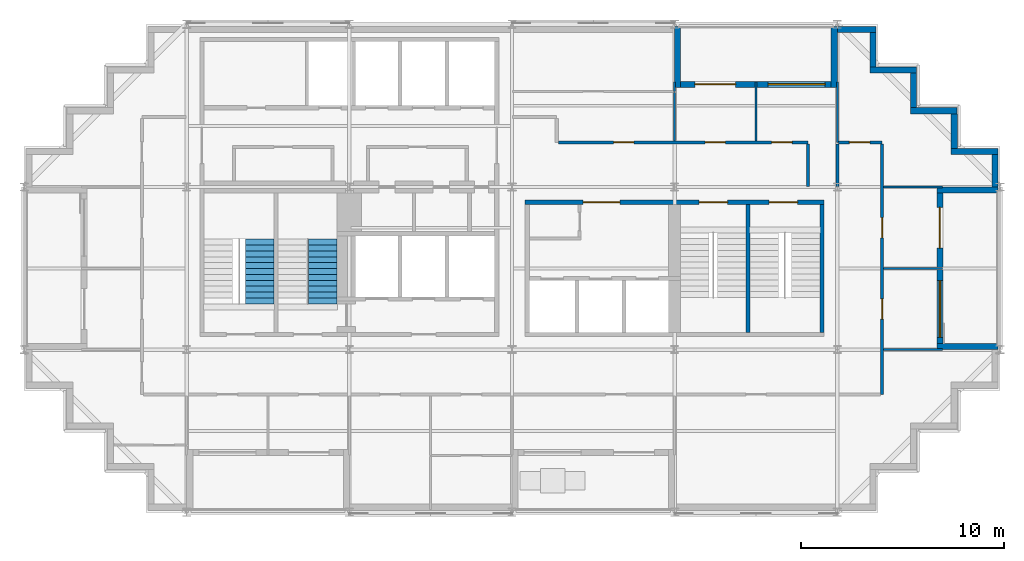
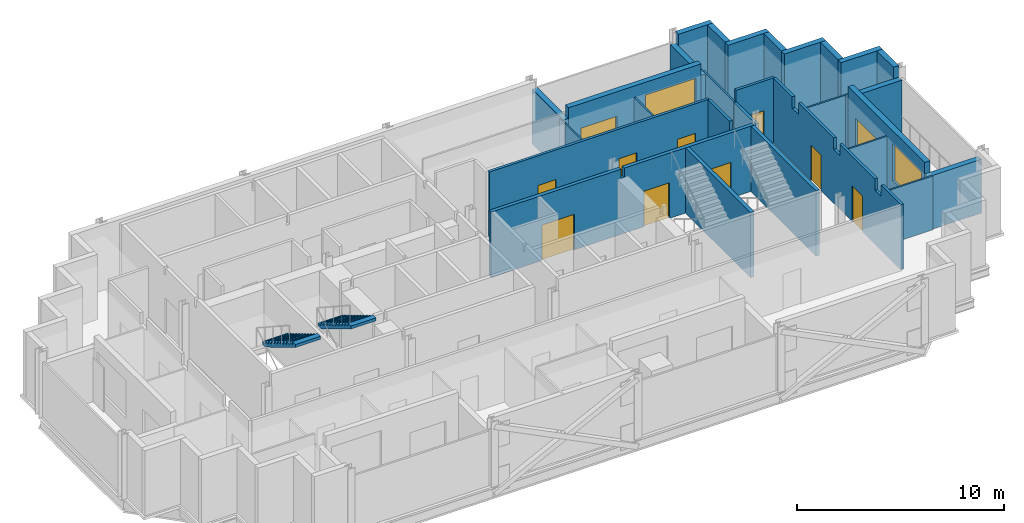
# One storey, part 7 of 10: 29 walls, 11 doors, 2 stair flights, 2 windows, 13 openings, 2 elements without a shape of their own.
"""IFC4 building model written with IfcOpenShell, lengths in metres."""

from ifc_helpers import new_model, si_unit, direction, frame, frame_2d, origin, place, context, subcontext, project, spatial, polyline, rectangle, outline, extrude, material, layer, layer_set, type_object, element, fill, aggregate, save


model = new_model("IFC4")

# Units and contexts
model_context = context("Model", 3, precision=1e-05, world=origin(), true_north=direction((0.0, 1.0)))
body_context = subcontext(model_context, "Body", "Model", "MODEL_VIEW")
ifc_project = project(units=[si_unit("LENGTHUNIT", "METRE"), si_unit("AREAUNIT", "SQUARE_METRE"), si_unit("VOLUMEUNIT", "CUBIC_METRE"), si_unit("PLANEANGLEUNIT", "RADIAN"), si_unit("MASSUNIT", "GRAM", prefix="KILO")], contexts=[model_context])

# Site, building, storey
site_placement = place(None, origin())
site = spatial("IfcSite", under=ifc_project, at=site_placement, CompositionType="ELEMENT")
building_placement = place(site_placement, origin())
building = spatial("IfcBuilding", under=site, at=building_placement, Name="Immortelle Media Tower", CompositionType="ELEMENT")
storey_placement = place(building_placement, frame((0.0, 0.0, 233.0)))
storey = spatial("IfcBuildingStorey", under=building, at=storey_placement, Name="L50", CompositionType="ELEMENT", Elevation=233.0)

# Wall, openings, doors
ifc_material_1 = material(Name="Fire-rated gypsum board", Category="gypsum")
ifc_layer_1 = layer(ifc_material_1, 0.012451171875)
ifc_material_2 = material(Name="Steel ASTM A653 SS Gr 50 stud frame with mineral wool", Category="steel")
ifc_layer_2 = layer(ifc_material_2, 0.125)
ifc_layer_3 = layer(ifc_material_1, 0.012451171875)
ifc_layer_set_1 = layer_set([ifc_layer_1, ifc_layer_2, ifc_layer_3], Name="Steel ASTM A653 SS Gr 50 stud frame with mineral wool")
wall_type_1 = type_object("IfcWallType", Name="Corridor wall 150", PredefinedType="PARTITIONING", material=ifc_layer_set_1)
wall_1_placement = place(storey_placement, frame((42.199951171875, 5.800048828125, 0.0), z_axis=(0.0, 0.0, 1.0), x_axis=(0.0, 1.0, 0.0)))
wall_1 = element("IfcWall", 1, at=wall_1_placement, inside=storey, type_object=wall_type_1, Name="Partition L50-013", PredefinedType="PARTITIONING", context=body_context, shape_type="SweptSolid", body=[
    extrude(outline(polyline([(0.0, 0.0), (12.324951171875, 0.0), (12.324951171875, 3.85009765625), (10.5, 3.85009765625), (10.498046875, 3.172119140625), (9.902099609375, 3.172119140625), (9.89990234375, 3.85009765625), (6.5, 3.85009765625), (6.498046875, 3.172119140625), (5.902099609375, 3.172119140625), (5.89990234375, 3.85009765625), (2.5, 3.85009765625), (2.498046875, 3.172119140625), (1.902099609375, 3.172119140625), (1.89990234375, 3.85009765625), (0.0, 3.85009765625), (0.0, 0.0)])), frame((0.0, 0.074951171875, 0.0), z_axis=(0.0, -1.0, 0.0), x_axis=(1.0, 0.0, 0.0)), (0.0, 0.0, 1.0), 0.14990234375),
])
opening_1_placement = place(wall_1_placement, frame((4.699951171875, 0.0, 0.0), z_axis=(0.0, 0.0, 1.0), x_axis=(-1.0, 0.0, 0.0)))
opening_1 = element("IfcOpeningElement", 2, at=opening_1_placement, cuts=wall_1, Name="Opening O6-F012", PredefinedType="OPENING", context=body_context, shape_type="SweptSolid", body=[
    extrude(rectangle(XDim=1.0, YDim=2.10009765625, at=frame_2d((0.5, 1.050048828125))), frame((0.0, 0.0849609375, 0.0), z_axis=(0.0, -1.0, 0.0), x_axis=(1.0, 0.0, 0.0)), (0.0, 0.0, 1.0), 0.169921875),
])
opening_2_placement = place(wall_1_placement, frame((8.699951171875, 0.0, 0.0), z_axis=(0.0, 0.0, 1.0), x_axis=(-1.0, 0.0, 0.0)))
opening_2 = element("IfcOpeningElement", 3, at=opening_2_placement, cuts=wall_1, Name="Opening O6-F013", PredefinedType="OPENING", context=body_context, shape_type="SweptSolid", body=[
    extrude(rectangle(XDim=1.0, YDim=2.10009765625, at=frame_2d((0.5, 1.050048828125))), frame((0.0, 0.0849609375, 0.0), z_axis=(0.0, -1.0, 0.0), x_axis=(1.0, 0.0, 0.0)), (0.0, 0.0, 1.0), 0.169921875),
])
ifc_material_3 = material(Name="Timber veneered door leaf, galvanised steel frame ASTM A653", Category="steel")
door_type_1 = type_object("IfcDoorType", Name="Room door 1000 x 2100", OperationType="NOTDEFINED", PredefinedType="DOOR", material=ifc_material_3)
door_1_placement = place(opening_1_placement, origin())
door_1 = element("IfcDoor", 4, at=door_1_placement, inside=storey, type_object=door_type_1, Name="Door O6-F012", OperationType="SINGLE_SWING_RIGHT", OverallHeight=2.10009765625, OverallWidth=1.0, PredefinedType="DOOR", context=body_context, shape_type="SweptSolid", body=[
    extrude(rectangle(XDim=1.0, YDim=2.10009765625, at=frame_2d((0.5, 1.050048828125))), frame((0.0, 0.02490234375, 0.0), z_axis=(0.0, -1.0, 0.0), x_axis=(1.0, 0.0, 0.0)), (0.0, 0.0, 1.0), 0.050048828125),
])
fill(opening_1, door_1)
door_2_placement = place(opening_2_placement, origin())
door_2 = element("IfcDoor", 5, at=door_2_placement, inside=storey, type_object=door_type_1, Name="Door O6-F013", OperationType="SINGLE_SWING_LEFT", OverallHeight=2.10009765625, OverallWidth=1.0, PredefinedType="DOOR", context=body_context, shape_type="SweptSolid", body=[
    extrude(rectangle(XDim=1.0, YDim=2.10009765625, at=frame_2d((0.5, 1.050048828125))), frame((0.0, 0.02490234375, 0.0), z_axis=(0.0, -1.0, 0.0), x_axis=(1.0, 0.0, 0.0)), (0.0, 0.0, 1.0), 0.050048828125),
])
fill(opening_2, door_2)

# Walls
wall_2_placement = place(storey_placement, frame((38.550048828125, 16.030029296875, 0.0), z_axis=(0.0, 0.0, 1.0), x_axis=(0.0, 1.0, 0.0)))
element("IfcWall", 6, at=wall_2_placement, inside=storey, type_object=wall_type_1, Name="Partition L50-020", PredefinedType="PARTITIONING", context=body_context, shape_type="SweptSolid", body=[
    extrude(rectangle(XDim=2.094970703125, YDim=0.14990234375, at=frame_2d((1.04736328125, 0.0))), origin(), (0.0, 0.0, 1.0), 3.85009765625),
])
wall_3_placement = place(storey_placement, frame((40.0, 16.030029296875, 0.0), z_axis=(0.0, 0.0, 1.0), x_axis=(0.0, 1.0, 0.0)))
element("IfcWall", 7, at=wall_3_placement, inside=storey, type_object=wall_type_1, Name="Partition L50-021", PredefinedType="PARTITIONING", context=body_context, shape_type="SweptSolid", body=[
    extrude(rectangle(XDim=2.094970703125, YDim=0.14990234375, at=frame_2d((1.04736328125, 0.0))), origin(), (0.0, 0.0, 1.0), 3.172119140625),
])

# Wall, openings, doors
wall_4_placement = place(storey_placement, frame((26.27490234375, 18.199951171875, 0.0), z_axis=(0.0, 0.0, 1.0), x_axis=(1.0, 0.0, 0.0)))
wall_4 = element("IfcWall", 8, at=wall_4_placement, inside=storey, type_object=wall_type_1, Name="Partition L50-022", PredefinedType="PARTITIONING", context=body_context, shape_type="SweptSolid", body=[
    extrude(rectangle(XDim=12.275146484375, YDim=0.14990234375, at=frame_2d((6.1376953125, 0.0))), origin(), (0.0, 0.0, 1.0), 3.85009765625),
])
opening_3_placement = place(wall_4_placement, frame((7.22509765625, 0.0, 0.0)))
opening_3 = element("IfcOpeningElement", 9, at=opening_3_placement, cuts=wall_4, Name="Opening O6-F016", PredefinedType="OPENING", context=body_context, shape_type="SweptSolid", body=[
    extrude(rectangle(XDim=1.0, YDim=2.10009765625, at=frame_2d((0.5, 1.050048828125))), frame((0.0, 0.0849609375, 0.0), z_axis=(0.0, -1.0, 0.0), x_axis=(1.0, 0.0, 0.0)), (0.0, 0.0, 1.0), 0.169921875),
])
opening_4_placement = place(wall_4_placement, frame((10.5, 0.0, 0.0)))
opening_4 = element("IfcOpeningElement", 10, at=opening_4_placement, cuts=wall_4, Name="Opening O6-F017", PredefinedType="OPENING", context=body_context, shape_type="SweptSolid", body=[
    extrude(rectangle(XDim=1.0, YDim=2.10009765625, at=frame_2d((0.5, 1.050048828125))), frame((0.0, 0.0849609375, 0.0), z_axis=(0.0, -1.0, 0.0), x_axis=(1.0, 0.0, 0.0)), (0.0, 0.0, 1.0), 0.169921875),
])
opening_5_placement = place(wall_4_placement, frame((2.72509765625, 0.0, 0.0)))
opening_5 = element("IfcOpeningElement", 11, at=opening_5_placement, cuts=wall_4, Name="Opening O6-F018", PredefinedType="OPENING", context=body_context, shape_type="SweptSolid", body=[
    extrude(rectangle(XDim=1.0, YDim=2.10009765625, at=frame_2d((0.5, 1.050048828125))), frame((0.0, 0.0849609375, 0.0), z_axis=(0.0, -1.0, 0.0), x_axis=(1.0, 0.0, 0.0)), (0.0, 0.0, 1.0), 0.169921875),
])
door_3_placement = place(opening_3_placement, origin())
door_3 = element("IfcDoor", 12, at=door_3_placement, inside=storey, type_object=door_type_1, Name="Door O6-F016", OperationType="SINGLE_SWING_RIGHT", OverallHeight=2.10009765625, OverallWidth=1.0, PredefinedType="DOOR", context=body_context, shape_type="SweptSolid", body=[
    extrude(rectangle(XDim=1.0, YDim=2.10009765625, at=frame_2d((0.5, 1.050048828125))), frame((0.0, 0.02490234375, 0.0), z_axis=(0.0, -1.0, 0.0), x_axis=(1.0, 0.0, 0.0)), (0.0, 0.0, 1.0), 0.050048828125),
])
fill(opening_3, door_3)
door_4_placement = place(opening_4_placement, origin())
door_4 = element("IfcDoor", 13, at=door_4_placement, inside=storey, type_object=door_type_1, Name="Door O6-F017", OperationType="SINGLE_SWING_LEFT", OverallHeight=2.10009765625, OverallWidth=1.0, PredefinedType="DOOR", context=body_context, shape_type="SweptSolid", body=[
    extrude(rectangle(XDim=1.0, YDim=2.10009765625, at=frame_2d((0.5, 1.050048828125))), frame((0.0, 0.02490234375, 0.0), z_axis=(0.0, -1.0, 0.0), x_axis=(1.0, 0.0, 0.0)), (0.0, 0.0, 1.0), 0.050048828125),
])
fill(opening_4, door_4)
door_5_placement = place(opening_5_placement, origin())
door_5 = element("IfcDoor", 14, at=door_5_placement, inside=storey, type_object=door_type_1, Name="Door O6-F018", OperationType="SINGLE_SWING_RIGHT", OverallHeight=2.10009765625, OverallWidth=1.0, PredefinedType="DOOR", context=body_context, shape_type="SweptSolid", body=[
    extrude(rectangle(XDim=1.0, YDim=2.10009765625, at=frame_2d((0.5, 1.050048828125))), frame((0.0, 0.02490234375, 0.0), z_axis=(0.0, -1.0, 0.0), x_axis=(1.0, 0.0, 0.0)), (0.0, 0.0, 1.0), 0.050048828125),
])
fill(opening_5, door_5)

# Wall, opening, door
wall_5_placement = place(storey_placement, frame((40.050048828125, 18.199951171875, 0.0), z_axis=(0.0, 0.0, 1.0), x_axis=(1.0, 0.0, 0.0)))
wall_5 = element("IfcWall", 15, at=wall_5_placement, inside=storey, type_object=wall_type_1, Name="Partition L50-026", PredefinedType="PARTITIONING", context=body_context, shape_type="SweptSolid", body=[
    extrude(rectangle(XDim=2.14990234375, YDim=0.14990234375, at=frame_2d((1.074951171875, 0.0))), origin(), (0.0, 0.0, 1.0), 3.85009765625),
])
opening_6_placement = place(wall_5_placement, frame((0.550048828125, 0.0, 0.0)))
opening_6 = element("IfcOpeningElement", 16, at=opening_6_placement, cuts=wall_5, Name="Opening O6-F015", PredefinedType="OPENING", context=body_context, shape_type="SweptSolid", body=[
    extrude(rectangle(XDim=1.0, YDim=2.10009765625, at=frame_2d((0.5, 1.050048828125))), frame((0.0, 0.0849609375, 0.0), z_axis=(0.0, -1.0, 0.0), x_axis=(1.0, 0.0, 0.0)), (0.0, 0.0, 1.0), 0.169921875),
])
door_6_placement = place(opening_6_placement, origin())
door_6 = element("IfcDoor", 17, at=door_6_placement, inside=storey, type_object=door_type_1, Name="Door O6-F015", OperationType="SINGLE_SWING_LEFT", OverallHeight=2.10009765625, OverallWidth=1.0, PredefinedType="DOOR", context=body_context, shape_type="SweptSolid", body=[
    extrude(rectangle(XDim=1.0, YDim=2.10009765625, at=frame_2d((0.5, 1.050048828125))), frame((0.0, 0.02490234375, 0.0), z_axis=(0.0, -1.0, 0.0), x_axis=(1.0, 0.0, 0.0)), (0.0, 0.0, 1.0), 0.050048828125),
])
fill(opening_6, door_6)

# Wall, openings, door, window
ifc_material_4 = material(Name="Pale aluminium cladding panel", Category="aluminium")
ifc_layer_4 = layer(ifc_material_4, 0.030029296875)
ifc_layer_5 = layer(ifc_material_2, 0.257568359375)
ifc_material_5 = material(Name="Moisture-resistant gypsum board", Category="gypsum")
ifc_layer_6 = layer(ifc_material_5, 0.012451171875)
ifc_layer_set_2 = layer_set([ifc_layer_4, ifc_layer_5, ifc_layer_6], Name="Steel ASTM A653 SS Gr 50 stud frame with mineral wool")
wall_type_2 = type_object("IfcWallType", Name="Facade wall 300", PredefinedType="SOLIDWALL", material=ifc_layer_set_2)
wall_6_placement = place(storey_placement, frame((45.050048828125, 8.300048828125, 0.0), z_axis=(0.0, 0.0, 1.0), x_axis=(0.0, 1.0, 0.0)))
wall_6 = element("IfcWall", 18, at=wall_6_placement, inside=storey, type_object=wall_type_2, Name="Loggia wall L50 E13", PredefinedType="SOLIDWALL", context=body_context, shape_type="SweptSolid", body=[
    extrude(rectangle(XDim=7.39990234375, YDim=0.300048828125, at=frame_2d((3.699951171875, 0.0))), origin(), (0.0, 0.0, 1.0), 3.85009765625),
])
opening_7_placement = place(wall_6_placement, frame((0.300048828125, 0.0, 0.89990234375)))
opening_7 = element("IfcOpeningElement", 19, at=opening_7_placement, cuts=wall_6, Name="Opening W1", PredefinedType="OPENING", context=body_context, shape_type="SweptSolid", body=[
    extrude(rectangle(XDim=2.800048828125, YDim=2.199951171875, at=frame_2d((1.39990234375, 1.10009765625))), frame((0.0, 0.159912109375, 0.0), z_axis=(0.0, -1.0, 0.0), x_axis=(1.0, 0.0, 0.0)), (0.0, 0.0, 1.0), 0.320068359375),
])
opening_8_placement = place(wall_6_placement, frame((4.699951171875, 0.0, 0.0)))
opening_8 = element("IfcOpeningElement", 20, at=opening_8_placement, cuts=wall_6, Name="Opening O6-E003", PredefinedType="OPENING", context=body_context, shape_type="SweptSolid", body=[
    extrude(rectangle(XDim=2.0, YDim=2.39990234375, at=frame_2d((1.0, 1.199951171875))), frame((0.0, 0.159912109375, 0.0), z_axis=(0.0, -1.0, 0.0), x_axis=(1.0, 0.0, 0.0)), (0.0, 0.0, 1.0), 0.320068359375),
])
ifc_material_6 = material(Name="Aluminium frame, glazed leaves", Category="aluminium")
door_type_2 = type_object("IfcDoorType", Name="Loggia door 2000 x 2400", OperationType="DOUBLE_DOOR_SINGLE_SWING", PredefinedType="DOOR", material=ifc_material_6)
door_7_placement = place(opening_8_placement, origin())
door_7 = element("IfcDoor", 21, at=door_7_placement, inside=storey, type_object=door_type_2, Name="Door O6-E003", OperationType="DOUBLE_DOOR_SINGLE_SWING", OverallHeight=2.39990234375, OverallWidth=2.0, PredefinedType="DOOR", context=body_context, shape_type="SweptSolid", body=[
    extrude(rectangle(XDim=2.0, YDim=2.39990234375, at=frame_2d((1.0, 1.199951171875))), frame((0.0, 0.02490234375, 0.0), z_axis=(0.0, -1.0, 0.0), x_axis=(1.0, 0.0, 0.0)), (0.0, 0.0, 1.0), 0.050048828125),
])
fill(opening_8, door_7)
ifc_material_7 = material(Name="Aluminium frame", Category="aluminium")
window_type = type_object("IfcWindowType", Name="Window 2800 x 2200", PartitioningType="SINGLE_PANEL", PredefinedType="WINDOW", material=ifc_material_7)
window_1_placement = place(opening_7_placement, origin())
window_1 = element("IfcWindow", 22, at=window_1_placement, inside=storey, type_object=window_type, Name="Window L50 L50-R13-B0", OverallHeight=2.199951171875, OverallWidth=2.800048828125, PartitioningType="SINGLE_PANEL", PredefinedType="WINDOW", context=body_context, shape_type="SweptSolid", body=[
    extrude(rectangle(XDim=2.800048828125, YDim=2.199951171875, at=frame_2d((1.39990234375, 1.10009765625))), frame((0.0, 0.030029296875, 0.0), z_axis=(0.0, -1.0, 0.0), x_axis=(1.0, 0.0, 0.0)), (0.0, 0.0, 1.0), 0.06005859375),
])
fill(opening_7, window_1)

# Walls
for number, where, z_axis, x_axis, name in (
    (23, (47.89990234375, 8.14990234375, 0.0), (0.0, 0.0, 1.0), (-1.0, 0.0, 0.0), "Loggia cheek wall L50 E"),
    (24, (47.89990234375, 15.85009765625, 0.0), (0.0, 0.0, 1.0), (-1.0, 0.0, 0.0), "Loggia cheek wall L50 E"),
):
    element("IfcWall", number, at=place(storey_placement, frame(where, z_axis=z_axis, x_axis=x_axis)), inside=storey, type_object=wall_type_2, Name=name, PredefinedType="SOLIDWALL", context=body_context, shape_type="SweptSolid", body=[
        extrude(rectangle(XDim=3.0, YDim=0.300048828125, at=frame_2d((1.5, 0.0))), origin(), (0.0, 0.0, 1.0), 3.1708984375),
    ])
wall_7_placement = place(storey_placement, frame((47.75, 16.0, 0.0), z_axis=(0.0, 0.0, 1.0), x_axis=(0.0, 1.0, 0.0)))
element("IfcWall", 25, at=wall_7_placement, inside=storey, type_object=wall_type_2, Name="Facade wall L50 E13", PredefinedType="SOLIDWALL", context=body_context, shape_type="SweptSolid", body=[
    extrude(rectangle(XDim=1.60009765625, YDim=0.300048828125, at=frame_2d((0.800048828125, 0.0))), origin(), (0.0, 0.0, 1.0), 3.85009765625),
])
wall_8_placement = place(storey_placement, frame((47.89990234375, 17.75, 0.0), z_axis=(0.0, 0.0, 1.0), x_axis=(-1.0, 0.0, 0.0)))
element("IfcWall", 26, at=wall_8_placement, inside=storey, type_object=wall_type_2, Name="Facade wall L50 N14", PredefinedType="SOLIDWALL", context=body_context, shape_type="SweptSolid", body=[
    extrude(rectangle(XDim=2.2998046875, YDim=0.300048828125, at=frame_2d((1.14990234375, 0.0))), origin(), (0.0, 0.0, 1.0), 3.85009765625),
])
wall_9_placement = place(storey_placement, frame((45.75, 17.89990234375, 0.0), z_axis=(0.0, 0.0, 1.0), x_axis=(0.0, 1.0, 0.0)))
element("IfcWall", 27, at=wall_9_placement, inside=storey, type_object=wall_type_2, Name="Facade wall L50 E15", PredefinedType="SOLIDWALL", context=body_context, shape_type="SweptSolid", body=[
    extrude(rectangle(XDim=1.7001953125, YDim=0.300048828125, at=frame_2d((0.85009765625, 0.0))), origin(), (0.0, 0.0, 1.0), 3.85009765625),
])
wall_10_placement = place(storey_placement, frame((45.89990234375, 19.75, 0.0), z_axis=(0.0, 0.0, 1.0), x_axis=(-1.0, 0.0, 0.0)))
element("IfcWall", 28, at=wall_10_placement, inside=storey, type_object=wall_type_2, Name="Facade wall L50 N16", PredefinedType="SOLIDWALL", context=body_context, shape_type="SweptSolid", body=[
    extrude(rectangle(XDim=2.2998046875, YDim=0.300048828125, at=frame_2d((1.14990234375, 0.0))), origin(), (0.0, 0.0, 1.0), 3.85009765625),
])
wall_11_placement = place(storey_placement, frame((43.75, 19.89990234375, 0.0), z_axis=(0.0, 0.0, 1.0), x_axis=(0.0, 1.0, 0.0)))
element("IfcWall", 29, at=wall_11_placement, inside=storey, type_object=wall_type_2, Name="Facade wall L50 E17", PredefinedType="SOLIDWALL", context=body_context, shape_type="SweptSolid", body=[
    extrude(rectangle(XDim=1.7001953125, YDim=0.300048828125, at=frame_2d((0.85009765625, 0.0))), origin(), (0.0, 0.0, 1.0), 3.85009765625),
])
wall_12_placement = place(storey_placement, frame((43.89990234375, 21.75, 0.0), z_axis=(0.0, 0.0, 1.0), x_axis=(-1.0, 0.0, 0.0)))
element("IfcWall", 30, at=wall_12_placement, inside=storey, type_object=wall_type_2, Name="Facade wall L50 N18", PredefinedType="SOLIDWALL", context=body_context, shape_type="SweptSolid", body=[
    extrude(rectangle(XDim=2.2998046875, YDim=0.300048828125, at=frame_2d((1.14990234375, 0.0))), origin(), (0.0, 0.0, 1.0), 3.85009765625),
])
wall_13_placement = place(storey_placement, frame((41.75, 21.89990234375, 0.0), z_axis=(0.0, 0.0, 1.0), x_axis=(0.0, 1.0, 0.0)))
element("IfcWall", 31, at=wall_13_placement, inside=storey, type_object=wall_type_2, Name="Facade wall L50 E19", PredefinedType="SOLIDWALL", context=body_context, shape_type="SweptSolid", body=[
    extrude(rectangle(XDim=1.7001953125, YDim=0.300048828125, at=frame_2d((0.85009765625, 0.0))), origin(), (0.0, 0.0, 1.0), 3.85009765625),
])
wall_14_placement = place(storey_placement, frame((41.89990234375, 23.75, 0.0), z_axis=(0.0, 0.0, 1.0), x_axis=(-1.0, 0.0, 0.0)))
element("IfcWall", 32, at=wall_14_placement, inside=storey, type_object=wall_type_2, Name="Facade wall L50 N20", PredefinedType="SOLIDWALL", context=body_context, shape_type="SweptSolid", body=[
    extrude(rectangle(XDim=1.89990234375, YDim=0.300048828125, at=frame_2d((0.949951171875, 0.0))), origin(), (0.0, 0.0, 1.0), 3.85009765625),
])

# Wall, openings, door, window
wall_15_placement = place(storey_placement, frame((39.699951171875, 21.050048828125, 0.0), z_axis=(0.0, 0.0, 1.0), x_axis=(-1.0, 0.0, 0.0)))
wall_15 = element("IfcWall", 33, at=wall_15_placement, inside=storey, type_object=wall_type_2, Name="Loggia wall L50 N20", PredefinedType="SOLIDWALL", context=body_context, shape_type="SweptSolid", body=[
    extrude(rectangle(XDim=7.39990234375, YDim=0.300048828125, at=frame_2d((3.699951171875, 0.0))), origin(), (0.0, 0.0, 1.0), 3.85009765625),
])
opening_9_placement = place(wall_15_placement, frame((0.300048828125, 0.0, 0.89990234375)))
opening_9 = element("IfcOpeningElement", 34, at=opening_9_placement, cuts=wall_15, Name="Opening W1", PredefinedType="OPENING", context=body_context, shape_type="SweptSolid", body=[
    extrude(rectangle(XDim=2.800048828125, YDim=2.199951171875, at=frame_2d((1.39990234375, 1.10009765625))), frame((0.0, 0.159912109375, 0.0), z_axis=(0.0, -1.0, 0.0), x_axis=(1.0, 0.0, 0.0)), (0.0, 0.0, 1.0), 0.320068359375),
])
opening_10_placement = place(wall_15_placement, frame((4.699951171875, 0.0, 0.0)))
opening_10 = element("IfcOpeningElement", 35, at=opening_10_placement, cuts=wall_15, Name="Opening O6-E004", PredefinedType="OPENING", context=body_context, shape_type="SweptSolid", body=[
    extrude(rectangle(XDim=2.0, YDim=2.39990234375, at=frame_2d((1.0, 1.199951171875))), frame((0.0, 0.159912109375, 0.0), z_axis=(0.0, -1.0, 0.0), x_axis=(1.0, 0.0, 0.0)), (0.0, 0.0, 1.0), 0.320068359375),
])
door_8_placement = place(opening_10_placement, origin())
door_8 = element("IfcDoor", 36, at=door_8_placement, inside=storey, type_object=door_type_2, Name="Door O6-E004", OperationType="DOUBLE_DOOR_SINGLE_SWING", OverallHeight=2.39990234375, OverallWidth=2.0, PredefinedType="DOOR", context=body_context, shape_type="SweptSolid", body=[
    extrude(rectangle(XDim=2.0, YDim=2.39990234375, at=frame_2d((1.0, 1.199951171875))), frame((0.0, 0.02490234375, 0.0), z_axis=(0.0, -1.0, 0.0), x_axis=(1.0, 0.0, 0.0)), (0.0, 0.0, 1.0), 0.050048828125),
])
fill(opening_10, door_8)
window_2_placement = place(opening_9_placement, origin())
window_2 = element("IfcWindow", 37, at=window_2_placement, inside=storey, type_object=window_type, Name="Window L50 L50-R20-B0", OverallHeight=2.199951171875, OverallWidth=2.800048828125, PartitioningType="SINGLE_PANEL", PredefinedType="WINDOW", context=body_context, shape_type="SweptSolid", body=[
    extrude(rectangle(XDim=2.800048828125, YDim=2.199951171875, at=frame_2d((1.39990234375, 1.10009765625))), frame((0.0, 0.030029296875, 0.0), z_axis=(0.0, -1.0, 0.0), x_axis=(1.0, 0.0, 0.0)), (0.0, 0.0, 1.0), 0.06005859375),
])
fill(opening_9, window_2)

# Walls
wall_16_placement = place(storey_placement, frame((39.85009765625, 23.89990234375, 0.0), z_axis=(0.0, 0.0, 1.0), x_axis=(0.0, -1.0, 0.0)))
element("IfcWall", 38, at=wall_16_placement, inside=storey, type_object=wall_type_2, Name="Loggia cheek wall L50 N", PredefinedType="SOLIDWALL", context=body_context, shape_type="SweptSolid", body=[
    extrude(rectangle(XDim=3.0, YDim=0.300048828125, at=frame_2d((1.5, 0.0))), origin(), (0.0, 0.0, 1.0), 3.1708984375),
])
wall_17_placement = place(storey_placement, frame((32.14990234375, 23.89990234375, 0.0), z_axis=(0.0, 0.0, 1.0), x_axis=(0.0, -1.0, 0.0)))
element("IfcWall", 39, at=wall_17_placement, inside=storey, type_object=wall_type_2, Name="Loggia cheek wall L50 N", PredefinedType="SOLIDWALL", context=body_context, shape_type="SweptSolid", body=[
    extrude(rectangle(XDim=3.0, YDim=0.300048828125, at=frame_2d((1.5, 0.0))), origin(), (0.0, 0.0, 1.0), 3.237060546875),
])
ifc_material_8 = material(Name="Gypsum board", Category="gypsum")
ifc_layer_7 = layer(ifc_material_8, 0.012451171875)
ifc_layer_8 = layer(ifc_material_2, 0.074951171875)
ifc_layer_9 = layer(ifc_material_8, 0.012451171875)
ifc_layer_set_3 = layer_set([ifc_layer_7, ifc_layer_8, ifc_layer_9], Name="Steel ASTM A653 SS Gr 50 stud frame with mineral wool")
wall_type_3 = type_object("IfcWallType", Name="Partition 100", PredefinedType="PARTITIONING", material=ifc_layer_set_3)
for number, where, z_axis, x_axis, name in (
    (40, (42.27490234375, 8.0, 0.0), (0.0, 0.0, 1.0), (1.0, 0.0, 0.0), "Partition L50-015"),
    (41, (42.27490234375, 12.0, 0.0), (0.0, 0.0, 1.0), (1.0, 0.0, 0.0), "Partition L50-017"),
    (42, (42.27490234375, 16.0, 0.0), (0.0, 0.0, 1.0), (1.0, 0.0, 0.0), "Partition L50-019"),
):
    element("IfcWall", number, at=place(storey_placement, frame(where, z_axis=z_axis, x_axis=x_axis)), inside=storey, type_object=wall_type_3, Name=name, PredefinedType="PARTITIONING", context=body_context, shape_type="SweptSolid", body=[
        extrude(rectangle(XDim=2.89501953125, YDim=0.10009765625, at=frame_2d((1.447509765625, 0.0))), origin(), (0.0, 0.0, 1.0), 3.172119140625),
    ])
wall_18_placement = place(storey_placement, frame((32.0, 18.27490234375, 0.0), z_axis=(0.0, 0.0, 1.0), x_axis=(0.0, 1.0, 0.0)))
element("IfcWall", 43, at=wall_18_placement, inside=storey, type_object=wall_type_3, Name="Partition L50-024", PredefinedType="PARTITIONING", context=body_context, shape_type="SweptSolid", body=[
    extrude(rectangle(XDim=2.375, YDim=0.10009765625, at=frame_2d((1.1875, 0.0))), origin(), (0.0, 0.0, 1.0), 3.172119140625),
])
wall_19_placement = place(storey_placement, frame((36.0, 18.27490234375, 0.0), z_axis=(0.0, 0.0, 1.0), x_axis=(0.0, 1.0, 0.0)))
element("IfcWall", 44, at=wall_19_placement, inside=storey, type_object=wall_type_3, Name="Partition L50-025", PredefinedType="PARTITIONING", context=body_context, shape_type="SweptSolid", body=[
    extrude(rectangle(XDim=2.89501953125, YDim=0.10009765625, at=frame_2d((1.447509765625, 0.0))), origin(), (0.0, 0.0, 1.0), 3.172119140625),
])
wall_20_placement = place(storey_placement, frame((40.0, 18.199951171875, 0.0), z_axis=(0.0, 0.0, 1.0), x_axis=(0.0, 1.0, 0.0)))
element("IfcWall", 45, at=wall_20_placement, inside=storey, type_object=wall_type_3, Name="Partition L50-027", PredefinedType="PARTITIONING", context=body_context, shape_type="SweptSolid", body=[
    extrude(rectangle(XDim=2.969970703125, YDim=0.10009765625, at=frame_2d((1.48486328125, 0.0))), origin(), (0.0, 0.0, 1.0), 3.172119140625),
])
wall_21_placement = place(storey_placement, frame((32.0, 20.699951171875, 0.0), z_axis=(0.0, 0.0, 1.0), x_axis=(0.0, 1.0, 0.0)))
element("IfcWall", 46, at=wall_21_placement, inside=storey, type_object=wall_type_3, Name="Partition L50-031", PredefinedType="PARTITIONING", context=body_context, shape_type="SweptSolid", body=[
    extrude(rectangle(XDim=0.469970703125, YDim=0.10009765625, at=frame_2d((0.23486328125, 0.0))), origin(), (0.0, 0.0, 1.0), 3.172119140625),
])

# Wall, openings, doors
ifc_material_9 = material(Name="Concrete C60", Category="concrete")
ifc_layer_10 = layer(ifc_material_9, 0.199951171875)
ifc_layer_set_4 = layer_set([ifc_layer_10], Name="Concrete C60")
wall_type_4 = type_object("IfcWallType", Name="Stair shaft wall 200", PredefinedType="PARTITIONING", material=ifc_layer_set_4)
wall_22_placement = place(storey_placement, frame((24.64990234375, 15.25, 0.0), z_axis=(0.0, 0.0, 1.0), x_axis=(1.0, 0.0, 0.0)))
wall_22 = element("IfcWall", 47, at=wall_22_placement, inside=storey, type_object=wall_type_4, Name="Stair shaft wall SE", PredefinedType="PARTITIONING", context=body_context, shape_type="SweptSolid", body=[
    extrude(outline(polyline([(0.0, 0.0), (14.7001953125, 0.0), (14.699951171875, 3.85009765625), (7.4384765625, 3.85009765625), (7.4375, 3.30810546875), (7.262451171875, 3.30810546875), (7.261474609375, 3.85009765625), (0.0, 3.85009765625), (0.0, 0.0)])), frame((0.0, 0.10009765625, 0.0), z_axis=(0.0, -1.0, 0.0), x_axis=(1.0, 0.0, 0.0)), (0.0, 0.0, 1.0), 0.199951171875),
])
opening_11_placement = place(wall_22_placement, frame((2.85009765625, 0.0, 0.0)))
opening_11 = element("IfcOpeningElement", 48, at=opening_11_placement, cuts=wall_22, Name="Opening O6-K023", PredefinedType="OPENING", context=body_context, shape_type="SweptSolid", body=[
    extrude(rectangle(XDim=1.800048828125, YDim=2.10009765625, at=frame_2d((0.89990234375, 1.050048828125))), frame((0.0, 0.10986328125, 0.0), z_axis=(0.0, -1.0, 0.0), x_axis=(1.0, 0.0, 0.0)), (0.0, 0.0, 1.0), 0.219970703125),
])
opening_12_placement = place(wall_22_placement, frame((9.949951171875, 0.0, 0.0), z_axis=(0.0, 0.0, 1.0), x_axis=(-1.0, 0.0, 0.0)))
opening_12 = element("IfcOpeningElement", 49, at=opening_12_placement, cuts=wall_22, Name="Opening O6-K025", PredefinedType="OPENING", context=body_context, shape_type="SweptSolid", body=[
    extrude(rectangle(XDim=1.39990234375, YDim=2.10009765625, at=frame_2d((0.699951171875, 1.050048828125))), frame((0.0, 0.10986328125, 0.0), z_axis=(0.0, -1.0, 0.0), x_axis=(1.0, 0.0, 0.0)), (0.0, 0.0, 1.0), 0.219970703125),
])
opening_13_placement = place(wall_22_placement, frame((13.39990234375, 0.0, 0.0), z_axis=(0.0, 0.0, 1.0), x_axis=(-1.0, 0.0, 0.0)))
opening_13 = element("IfcOpeningElement", 50, at=opening_13_placement, cuts=wall_22, Name="Opening O6-K026", PredefinedType="OPENING", context=body_context, shape_type="SweptSolid", body=[
    extrude(rectangle(XDim=1.39990234375, YDim=2.10009765625, at=frame_2d((0.699951171875, 1.050048828125))), frame((0.0, 0.10986328125, 0.0), z_axis=(0.0, -1.0, 0.0), x_axis=(1.0, 0.0, 0.0)), (0.0, 0.0, 1.0), 0.219970703125),
])
ifc_material_10 = material(Name="Galvanised steel door leaf and frame ASTM A653", Category="steel")
door_type_3 = type_object("IfcDoorType", Name="Lift lobby door 1800 x 2100", OperationType="DOUBLE_DOOR_SINGLE_SWING", PredefinedType="NOTDEFINED", material=ifc_material_10)
door_9_placement = place(opening_11_placement, origin())
door_9 = element("IfcDoor", 51, at=door_9_placement, inside=storey, type_object=door_type_3, Name="Lift lobby O6-K023", OperationType="DOUBLE_DOOR_SINGLE_SWING", OverallHeight=2.10009765625, OverallWidth=1.800048828125, PredefinedType="NOTDEFINED", context=body_context, shape_type="SweptSolid", body=[
    extrude(rectangle(XDim=1.800048828125, YDim=2.10009765625, at=frame_2d((0.89990234375, 1.050048828125))), frame((0.0, 0.02490234375, 0.0), z_axis=(0.0, -1.0, 0.0), x_axis=(1.0, 0.0, 0.0)), (0.0, 0.0, 1.0), 0.050048828125),
])
fill(opening_11, door_9)
door_type_4 = type_object("IfcDoorType", Name="Stair door 1400 x 2100", OperationType="DOUBLE_DOOR_SINGLE_SWING", PredefinedType="NOTDEFINED", material=ifc_material_10)
door_10_placement = place(opening_12_placement, origin())
door_10 = element("IfcDoor", 52, at=door_10_placement, inside=storey, type_object=door_type_4, Name="Stair O6-K025", OperationType="DOUBLE_DOOR_SINGLE_SWING", OverallHeight=2.10009765625, OverallWidth=1.39990234375, PredefinedType="NOTDEFINED", context=body_context, shape_type="SweptSolid", body=[
    extrude(rectangle(XDim=1.39990234375, YDim=2.10009765625, at=frame_2d((0.699951171875, 1.050048828125))), frame((0.0, 0.02490234375, 0.0), z_axis=(0.0, -1.0, 0.0), x_axis=(1.0, 0.0, 0.0)), (0.0, 0.0, 1.0), 0.050048828125),
])
fill(opening_12, door_10)
door_11_placement = place(opening_13_placement, origin())
door_11 = element("IfcDoor", 53, at=door_11_placement, inside=storey, type_object=door_type_4, Name="Stair O6-K026", OperationType="DOUBLE_DOOR_SINGLE_SWING", OverallHeight=2.10009765625, OverallWidth=1.39990234375, PredefinedType="NOTDEFINED", context=body_context, shape_type="SweptSolid", body=[
    extrude(rectangle(XDim=1.39990234375, YDim=2.10009765625, at=frame_2d((0.699951171875, 1.050048828125))), frame((0.0, 0.02490234375, 0.0), z_axis=(0.0, -1.0, 0.0), x_axis=(1.0, 0.0, 0.0)), (0.0, 0.0, 1.0), 0.050048828125),
])
fill(opening_13, door_11)

# Walls
for number, where, z_axis, x_axis, name in (
    (54, (35.60009765625, 8.85009765625, 0.0), (0.0, 0.0, 1.0), (0.0, 1.0, 0.0), "Stair shaft wall SE"),
    (55, (39.25, 8.85009765625, 0.0), (0.0, 0.0, 1.0), (0.0, 1.0, 0.0), "Stair shaft wall SE"),
):
    element("IfcWall", number, at=place(storey_placement, frame(where, z_axis=z_axis, x_axis=x_axis)), inside=storey, type_object=wall_type_4, Name=name, PredefinedType="PARTITIONING", context=body_context, shape_type="SweptSolid", body=[
        extrude(rectangle(XDim=6.2998046875, YDim=0.199951171875, at=frame_2d((3.14990234375, 0.0))), origin(), (0.0, 0.0, 1.0), 3.85009765625),
    ])

# Stair, stair flight
ifc_material_11 = material(Name="Steel ASTM A992 Gr 50", Category="steel")
stair_type = type_object("IfcStairType", Name="Stair with flights", PredefinedType="DOUBLE_RETURN_STAIR", material=ifc_material_11)
stair_1_placement = place(storey_placement, origin())
stair_1 = element("IfcStair", 56, at=stair_1_placement, inside=storey, type_object=stair_type, Name="Exit stair SW1", PredefinedType="DOUBLE_RETURN_STAIR")
stair_flight_type = type_object("IfcStairFlightType", Name="Stair flight 1400", PredefinedType="STRAIGHT", material=ifc_material_11)
stair_flight_1_placement = place(storey_placement, frame((11.60009765625, 13.43994140625, 1.9130859375), z_axis=(0.0, 0.0, 1.0), x_axis=(0.0, -1.0, 0.0)))
stair_flight_1 = element("IfcStairFlight", 57, at=stair_flight_1_placement, type_object=stair_flight_type, Name="ST SW1 flight 2", NumberOfRisers=12, NumberOfTreads=11, PredefinedType="STRAIGHT", RiserHeight=0.173913043, TreadLength=0.29, context=body_context, shape_type="SweptSolid", body=[
    extrude(outline(polyline([(0.0, 0.0), (0.0, 0.173828125), (0.2900390625, 0.173828125), (0.2900390625, 0.347900390625), (0.580078125, 0.347900390625), (0.580078125, 0.521728515625), (0.8701171875, 0.521728515625), (0.8701171875, 0.695556640625), (1.159912109375, 0.695556640625), (1.159912109375, 0.86962890625), (1.449951171875, 0.86962890625), (1.449951171875, 1.04345703125), (1.739990234375, 1.04345703125), (1.739990234375, 1.21728515625), (2.030029296875, 1.21728515625), (2.030029296875, 1.391357421875), (2.320068359375, 1.391357421875), (2.320068359375, 1.565185546875), (2.610107421875, 1.565185546875), (2.610107421875, 1.739013671875), (2.89990234375, 1.739013671875), (2.89990234375, 1.9130859375), (3.18994140625, 1.9130859375), (3.18994140625, 2.0869140625), (3.18994140625, 1.73828125), (0.29150390625, 0.0), (0.0, 0.0)])), frame((0.0, 0.699951171875, 0.0), z_axis=(0.0, -1.0, 0.0), x_axis=(1.0, 0.0, 0.0)), (0.0, 0.0, 1.0), 1.39990234375),
])
aggregate(stair_1, [stair_flight_1])

stair_2_placement = place(storey_placement, origin())
stair_2 = element("IfcStair", 58, at=stair_2_placement, inside=storey, type_object=stair_type, Name="Exit stair SW2", PredefinedType="DOUBLE_RETURN_STAIR")
stair_flight_2_placement = place(storey_placement, frame((14.699951171875, 13.43994140625, 1.9130859375), z_axis=(0.0, 0.0, 1.0), x_axis=(0.0, -1.0, 0.0)))
stair_flight_2 = element("IfcStairFlight", 59, at=stair_flight_2_placement, type_object=stair_flight_type, Name="ST SW2 flight 2", NumberOfRisers=12, NumberOfTreads=11, PredefinedType="STRAIGHT", RiserHeight=0.173913043, TreadLength=0.29, context=body_context, shape_type="SweptSolid", body=[
    extrude(outline(polyline([(0.0, 0.0), (0.0, 0.173828125), (0.2900390625, 0.173828125), (0.2900390625, 0.347900390625), (0.580078125, 0.347900390625), (0.580078125, 0.521728515625), (0.8701171875, 0.521728515625), (0.8701171875, 0.695556640625), (1.159912109375, 0.695556640625), (1.159912109375, 0.86962890625), (1.449951171875, 0.86962890625), (1.449951171875, 1.04345703125), (1.739990234375, 1.04345703125), (1.739990234375, 1.21728515625), (2.030029296875, 1.21728515625), (2.030029296875, 1.391357421875), (2.320068359375, 1.391357421875), (2.320068359375, 1.565185546875), (2.610107421875, 1.565185546875), (2.610107421875, 1.739013671875), (2.89990234375, 1.739013671875), (2.89990234375, 1.9130859375), (3.18994140625, 1.9130859375), (3.18994140625, 2.0869140625), (3.18994140625, 1.73828125), (0.29150390625, 0.0), (0.0, 0.0)])), frame((0.0, 0.699951171875, 0.0), z_axis=(0.0, -1.0, 0.0), x_axis=(1.0, 0.0, 0.0)), (0.0, 0.0, 1.0), 1.39990234375),
])
aggregate(stair_2, [stair_flight_2])

save(model, "model.ifc")
